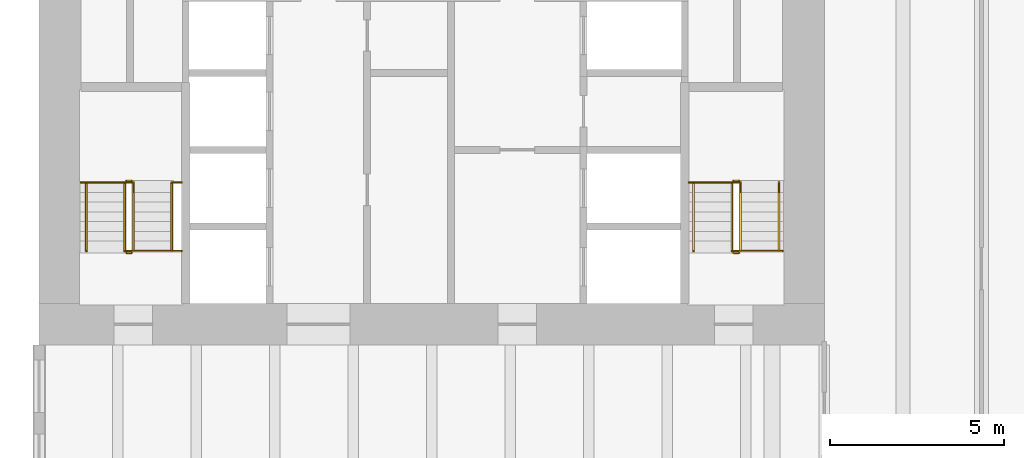
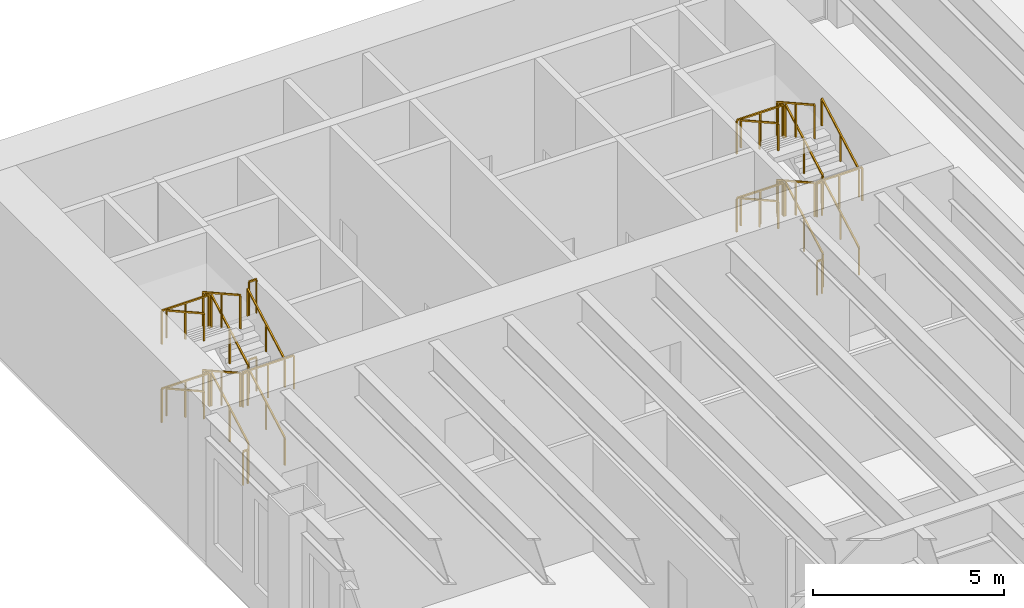
# One storey, part 19 of 19: 32 railings.
"""IFC4 building model written with IfcOpenShell, lengths in metres."""

from ifc_helpers import new_model, si_unit, direction, frame, origin, origin_2d, place, context, subcontext, project, spatial, rectangle, extrude, material, type_object, element, save


model = new_model("IFC4")

# Units and contexts
model_context = context("Model", 3, precision=1e-05, world=origin(), true_north=direction((0.0, 1.0)))
body_context = subcontext(model_context, "Body", "Model", "MODEL_VIEW")
ifc_project = project(units=[si_unit("LENGTHUNIT", "METRE"), si_unit("AREAUNIT", "SQUARE_METRE"), si_unit("VOLUMEUNIT", "CUBIC_METRE"), si_unit("PLANEANGLEUNIT", "RADIAN"), si_unit("MASSUNIT", "GRAM", prefix="KILO")], contexts=[model_context])

# Site, building, storey
site_placement = place(None, origin())
site = spatial("IfcSite", under=ifc_project, at=site_placement, CompositionType="ELEMENT")
building_placement = place(site_placement, origin())
building = spatial("IfcBuilding", under=site, at=building_placement, Name="Sennacour Bend Tower", CompositionType="ELEMENT")
storey_placement = place(building_placement, frame((0.0, 0.0, 19.0)))
storey = spatial("IfcBuildingStorey", under=building, at=storey_placement, Name="L03", CompositionType="ELEMENT", Elevation=19.0)

# Railings
ifc_material = material(Name="Stainless steel", Category="steel")
railing_type_1 = type_object("IfcRailingType", Name="RL-GUARD-1100", PredefinedType="GUARDRAIL", material=ifc_material)
railing_1_placement = place(storey_placement, frame((2.699951171875, 38.699951171875, 0.15625)))
element("IfcRailing", 1, at=railing_1_placement, inside=storey, type_object=railing_type_1, Name="L03 SB1 stair guard 1", PredefinedType="GUARDRAIL", context=body_context, shape_type="SweptSolid", body=[
    extrude(rectangle(XDim=0.048095703125, YDim=0.048095703125, at=origin_2d()), frame((0.0, 0.0, 1.076171875), z_axis=(0.0, 0.873232148454, 0.487304437602), x_axis=(-1.0, 0.0, 0.0)), (0.0, 0.0, 1.0), 2.244384765625),
    extrude(rectangle(XDim=0.0419921875, YDim=0.0419921875, at=origin_2d()), origin(), (0.0, 0.0, 1.0), 1.052001953125),
    extrude(rectangle(XDim=0.0419921875, YDim=0.0419921875, at=origin_2d()), frame((0.0, 0.97998046875, 0.546875)), (0.0, 0.0, 1.0), 1.052001953125),
    extrude(rectangle(XDim=0.0419921875, YDim=0.0419921875, at=origin_2d()), frame((0.0, 1.9599609375, 1.09375)), (0.0, 0.0, 1.0), 1.052001953125),
])
railing_2_placement = place(storey_placement, frame((2.64990234375, 40.7099609375, 1.25)))
element("IfcRailing", 2, at=railing_2_placement, inside=storey, type_object=railing_type_1, Name="L03 SB1 stair guard 2", PredefinedType="GUARDRAIL", context=body_context, shape_type="SweptSolid", body=[
    extrude(rectangle(XDim=0.048095703125, YDim=0.048095703125, at=origin_2d()), frame((0.0, 0.0, 1.076171875), z_axis=(-1.0, 0.0, 0.0), x_axis=(0.0, -1.0, 0.0)), (0.0, 0.0, 1.0), 0.14990234375),
    extrude(rectangle(XDim=0.0419921875, YDim=0.0419921875, at=origin_2d()), origin(), (0.0, 0.0, 1.0), 1.052001953125),
    extrude(rectangle(XDim=0.0419921875, YDim=0.0419921875, at=origin_2d()), frame((-0.14990234375, 0.0, 0.0)), (0.0, 0.0, 1.0), 1.052001953125),
])
railing_3_placement = place(storey_placement, frame((2.449951171875, 40.659912109375, 1.40625)))
element("IfcRailing", 3, at=railing_3_placement, inside=storey, type_object=railing_type_1, Name="L03 SB1 stair guard 4", PredefinedType="GUARDRAIL", context=body_context, shape_type="SweptSolid", body=[
    extrude(rectangle(XDim=0.048095703125, YDim=0.048095703125, at=origin_2d()), frame((0.0, 0.0, 1.076171875), z_axis=(0.0, -0.873232148454, 0.487304437602), x_axis=(1.0, 0.0, 0.0)), (0.0, 0.0, 1.0), 2.244384765625),
    extrude(rectangle(XDim=0.0419921875, YDim=0.0419921875, at=origin_2d()), origin(), (0.0, 0.0, 1.0), 1.052001953125),
    extrude(rectangle(XDim=0.0419921875, YDim=0.0419921875, at=origin_2d()), frame((0.0, -0.97998046875, 0.546875)), (0.0, 0.0, 1.0), 1.052001953125),
    extrude(rectangle(XDim=0.0419921875, YDim=0.0419921875, at=origin_2d()), frame((0.0, -1.9599609375, 1.09375)), (0.0, 0.0, 1.0), 1.052001953125),
])
railing_4_placement = place(storey_placement, frame((2.64990234375, 38.64990234375, 2.5)))
element("IfcRailing", 4, at=railing_4_placement, inside=storey, type_object=railing_type_1, Name="L03 SB1 stair guard 5", PredefinedType="GUARDRAIL", context=body_context, shape_type="SweptSolid", body=[
    extrude(rectangle(XDim=0.048095703125, YDim=0.048095703125, at=origin_2d()), frame((0.0, 0.0, 1.076171875), z_axis=(-1.0, 0.0, 0.0), x_axis=(0.0, -1.0, 0.0)), (0.0, 0.0, 1.0), 0.14990234375),
    extrude(rectangle(XDim=0.0419921875, YDim=0.0419921875, at=origin_2d()), origin(), (0.0, 0.0, 1.0), 1.052001953125),
    extrude(rectangle(XDim=0.0419921875, YDim=0.0419921875, at=origin_2d()), frame((-0.14990234375, 0.0, 0.0)), (0.0, 0.0, 1.0), 1.052001953125),
])
railing_5_placement = place(storey_placement, frame((2.699951171875, 38.699951171875, 2.65625)))
element("IfcRailing", 5, at=railing_5_placement, inside=storey, type_object=railing_type_1, Name="L03 SB1 stair guard 8", PredefinedType="GUARDRAIL", context=body_context, shape_type="SweptSolid", body=[
    extrude(rectangle(XDim=0.048095703125, YDim=0.048095703125, at=origin_2d()), frame((0.0, 0.0, 1.076171875), z_axis=(0.0, 0.873232148454, 0.487304437602), x_axis=(-1.0, 0.0, 0.0)), (0.0, 0.0, 1.0), 2.244384765625),
    extrude(rectangle(XDim=0.0419921875, YDim=0.0419921875, at=origin_2d()), origin(), (0.0, 0.0, 1.0), 1.052001953125),
    extrude(rectangle(XDim=0.0419921875, YDim=0.0419921875, at=origin_2d()), frame((0.0, 0.97998046875, 0.546875)), (0.0, 0.0, 1.0), 1.052001953125),
    extrude(rectangle(XDim=0.0419921875, YDim=0.0419921875, at=origin_2d()), frame((0.0, 1.9599609375, 1.09375)), (0.0, 0.0, 1.0), 1.052001953125),
])
railing_6_placement = place(storey_placement, frame((2.64990234375, 40.7099609375, 3.75)))
element("IfcRailing", 6, at=railing_6_placement, inside=storey, type_object=railing_type_1, Name="L03 SB1 stair guard 9", PredefinedType="GUARDRAIL", context=body_context, shape_type="SweptSolid", body=[
    extrude(rectangle(XDim=0.048095703125, YDim=0.048095703125, at=origin_2d()), frame((0.0, 0.0, 1.076171875), z_axis=(-1.0, 0.0, 0.0), x_axis=(0.0, -1.0, 0.0)), (0.0, 0.0, 1.0), 0.14990234375),
    extrude(rectangle(XDim=0.0419921875, YDim=0.0419921875, at=origin_2d()), origin(), (0.0, 0.0, 1.0), 1.052001953125),
    extrude(rectangle(XDim=0.0419921875, YDim=0.0419921875, at=origin_2d()), frame((-0.14990234375, 0.0, 0.0)), (0.0, 0.0, 1.0), 1.052001953125),
])
railing_7_placement = place(storey_placement, frame((2.449951171875, 40.659912109375, 3.90625)))
element("IfcRailing", 7, at=railing_7_placement, inside=storey, type_object=railing_type_1, Name="L03 SB1 stair guard 11", PredefinedType="GUARDRAIL", context=body_context, shape_type="SweptSolid", body=[
    extrude(rectangle(XDim=0.048095703125, YDim=0.048095703125, at=origin_2d()), frame((0.0, 0.0, 1.076171875), z_axis=(0.0, -0.873232148454, 0.487304437602), x_axis=(1.0, 0.0, 0.0)), (0.0, 0.0, 1.0), 2.244384765625),
    extrude(rectangle(XDim=0.0419921875, YDim=0.0419921875, at=origin_2d()), origin(), (0.0, 0.0, 1.0), 1.052001953125),
    extrude(rectangle(XDim=0.0419921875, YDim=0.0419921875, at=origin_2d()), frame((0.0, -0.97998046875, 0.546875)), (0.0, 0.0, 1.0), 1.052001953125),
    extrude(rectangle(XDim=0.0419921875, YDim=0.0419921875, at=origin_2d()), frame((0.0, -1.9599609375, 1.09375)), (0.0, 0.0, 1.0), 1.052001953125),
])
railing_8_placement = place(storey_placement, frame((2.64990234375, 38.64990234375, 0.0)))
element("IfcRailing", 8, at=railing_8_placement, inside=storey, type_object=railing_type_1, Name="L03 SB1 stair guard 12", PredefinedType="GUARDRAIL", context=body_context, shape_type="SweptSolid", body=[
    extrude(rectangle(XDim=0.048095703125, YDim=0.048095703125, at=origin_2d()), frame((0.0, 0.0, 1.076171875), z_axis=(-1.0, 0.0, 0.0), x_axis=(0.0, -1.0, 0.0)), (0.0, 0.0, 1.0), 0.14990234375),
    extrude(rectangle(XDim=0.0419921875, YDim=0.0419921875, at=origin_2d()), origin(), (0.0, 0.0, 1.0), 1.052001953125),
    extrude(rectangle(XDim=0.0419921875, YDim=0.0419921875, at=origin_2d()), frame((-0.14990234375, 0.0, 0.0)), (0.0, 0.0, 1.0), 1.052001953125),
])
railing_9_placement = place(storey_placement, frame((4.074951171875, 40.659912109375, 1.25)))
element("IfcRailing", 9, at=railing_9_placement, inside=storey, type_object=railing_type_1, Name="L03 SB1 landing edge guard 14", PredefinedType="GUARDRAIL", context=body_context, shape_type="SweptSolid", body=[
    extrude(rectangle(XDim=0.048095703125, YDim=0.048095703125, at=origin_2d()), frame((0.0, 0.0, 1.076171875), z_axis=(-1.0, 0.0, 0.0), x_axis=(0.0, -1.0, 0.0)), (0.0, 0.0, 1.0), 0.224853515625),
    extrude(rectangle(XDim=0.0419921875, YDim=0.0419921875, at=origin_2d()), origin(), (0.0, 0.0, 1.0), 1.052001953125),
    extrude(rectangle(XDim=0.0419921875, YDim=0.0419921875, at=origin_2d()), frame((-0.224853515625, 0.0, 0.0)), (0.0, 0.0, 1.0), 1.052001953125),
])
railing_10_placement = place(storey_placement, frame((2.64990234375, 40.659912109375, 1.25)))
element("IfcRailing", 10, at=railing_10_placement, inside=storey, type_object=railing_type_1, Name="L03 SB1 landing edge guard 15", PredefinedType="GUARDRAIL", context=body_context, shape_type="SweptSolid", body=[
    extrude(rectangle(XDim=0.048095703125, YDim=0.048095703125, at=origin_2d()), frame((0.0, 0.0, 1.076171875), z_axis=(-1.0, 0.0, 0.0), x_axis=(0.0, -1.0, 0.0)), (0.0, 0.0, 1.0), 1.449951171875),
    extrude(rectangle(XDim=0.0419921875, YDim=0.0419921875, at=origin_2d()), origin(), (0.0, 0.0, 1.0), 1.052001953125),
    extrude(rectangle(XDim=0.0419921875, YDim=0.0419921875, at=origin_2d()), frame((-0.72509765625, 0.0, 0.0)), (0.0, 0.0, 1.0), 1.052001953125),
    extrude(rectangle(XDim=0.0419921875, YDim=0.0419921875, at=origin_2d()), frame((-1.449951171875, 0.0, 0.0)), (0.0, 0.0, 1.0), 1.052001953125),
])
railing_11_placement = place(storey_placement, frame((2.5, 38.699951171875, 2.5)))
element("IfcRailing", 11, at=railing_11_placement, inside=storey, type_object=railing_type_1, Name="L03 SB1 landing edge guard 16", PredefinedType="GUARDRAIL", context=body_context, shape_type="SweptSolid", body=[
    extrude(rectangle(XDim=0.048095703125, YDim=0.048095703125, at=origin_2d()), frame((0.0, 0.0, 1.076171875), z_axis=(1.0, 0.0, 0.0), x_axis=(0.0, 1.0, 0.0)), (0.0, 0.0, 1.0), 1.574951171875),
    extrude(rectangle(XDim=0.0419921875, YDim=0.0419921875, at=origin_2d()), origin(), (0.0, 0.0, 1.0), 1.052001953125),
    extrude(rectangle(XDim=0.0419921875, YDim=0.0419921875, at=origin_2d()), frame((0.78759765625, 0.0, 0.0)), (0.0, 0.0, 1.0), 1.052001953125),
    extrude(rectangle(XDim=0.0419921875, YDim=0.0419921875, at=origin_2d()), frame((1.574951171875, 0.0, 0.0)), (0.0, 0.0, 1.0), 1.052001953125),
])
railing_12_placement = place(storey_placement, frame((4.074951171875, 40.659912109375, 3.75)))
element("IfcRailing", 12, at=railing_12_placement, inside=storey, type_object=railing_type_1, Name="L03 SB1 landing edge guard 17", PredefinedType="GUARDRAIL", context=body_context, shape_type="SweptSolid", body=[
    extrude(rectangle(XDim=0.048095703125, YDim=0.048095703125, at=origin_2d()), frame((0.0, 0.0, 1.076171875), z_axis=(-1.0, 0.0, 0.0), x_axis=(0.0, -1.0, 0.0)), (0.0, 0.0, 1.0), 0.224853515625),
    extrude(rectangle(XDim=0.0419921875, YDim=0.0419921875, at=origin_2d()), origin(), (0.0, 0.0, 1.0), 1.052001953125),
    extrude(rectangle(XDim=0.0419921875, YDim=0.0419921875, at=origin_2d()), frame((-0.224853515625, 0.0, 0.0)), (0.0, 0.0, 1.0), 1.052001953125),
])
railing_13_placement = place(storey_placement, frame((2.64990234375, 40.659912109375, 3.75)))
element("IfcRailing", 13, at=railing_13_placement, inside=storey, type_object=railing_type_1, Name="L03 SB1 landing edge guard 18", PredefinedType="GUARDRAIL", context=body_context, shape_type="SweptSolid", body=[
    extrude(rectangle(XDim=0.048095703125, YDim=0.048095703125, at=origin_2d()), frame((0.0, 0.0, 1.076171875), z_axis=(-1.0, 0.0, 0.0), x_axis=(0.0, -1.0, 0.0)), (0.0, 0.0, 1.0), 1.449951171875),
    extrude(rectangle(XDim=0.0419921875, YDim=0.0419921875, at=origin_2d()), origin(), (0.0, 0.0, 1.0), 1.052001953125),
    extrude(rectangle(XDim=0.0419921875, YDim=0.0419921875, at=origin_2d()), frame((-0.72509765625, 0.0, 0.0)), (0.0, 0.0, 1.0), 1.052001953125),
    extrude(rectangle(XDim=0.0419921875, YDim=0.0419921875, at=origin_2d()), frame((-1.449951171875, 0.0, 0.0)), (0.0, 0.0, 1.0), 1.052001953125),
])
railing_14_placement = place(storey_placement, frame((20.10009765625, 38.699951171875, 0.15625)))
element("IfcRailing", 14, at=railing_14_placement, inside=storey, type_object=railing_type_1, Name="L03 SB2 stair guard 1", PredefinedType="GUARDRAIL", context=body_context, shape_type="SweptSolid", body=[
    extrude(rectangle(XDim=0.048095703125, YDim=0.048095703125, at=origin_2d()), frame((0.0, 0.0, 1.076171875), z_axis=(0.0, 0.873232148454, 0.487304437602), x_axis=(-1.0, 0.0, 0.0)), (0.0, 0.0, 1.0), 2.244384765625),
    extrude(rectangle(XDim=0.0419921875, YDim=0.0419921875, at=origin_2d()), origin(), (0.0, 0.0, 1.0), 1.052001953125),
    extrude(rectangle(XDim=0.0419921875, YDim=0.0419921875, at=origin_2d()), frame((0.0, 0.97998046875, 0.546875)), (0.0, 0.0, 1.0), 1.052001953125),
    extrude(rectangle(XDim=0.0419921875, YDim=0.0419921875, at=origin_2d()), frame((0.0, 1.9599609375, 1.09375)), (0.0, 0.0, 1.0), 1.052001953125),
])
railing_15_placement = place(storey_placement, frame((20.050048828125, 40.7099609375, 1.25)))
element("IfcRailing", 15, at=railing_15_placement, inside=storey, type_object=railing_type_1, Name="L03 SB2 stair guard 2", PredefinedType="GUARDRAIL", context=body_context, shape_type="SweptSolid", body=[
    extrude(rectangle(XDim=0.048095703125, YDim=0.048095703125, at=origin_2d()), frame((0.0, 0.0, 1.076171875), z_axis=(-1.0, 0.0, 0.0), x_axis=(0.0, -1.0, 0.0)), (0.0, 0.0, 1.0), 0.150146484375),
    extrude(rectangle(XDim=0.0419921875, YDim=0.0419921875, at=origin_2d()), origin(), (0.0, 0.0, 1.0), 1.052001953125),
    extrude(rectangle(XDim=0.0419921875, YDim=0.0419921875, at=origin_2d()), frame((-0.150146484375, 0.0, 0.0)), (0.0, 0.0, 1.0), 1.052001953125),
])
railing_16_placement = place(storey_placement, frame((19.85009765625, 40.659912109375, 1.40625)))
element("IfcRailing", 16, at=railing_16_placement, inside=storey, type_object=railing_type_1, Name="L03 SB2 stair guard 4", PredefinedType="GUARDRAIL", context=body_context, shape_type="SweptSolid", body=[
    extrude(rectangle(XDim=0.048095703125, YDim=0.048095703125, at=origin_2d()), frame((0.0, 0.0, 1.076171875), z_axis=(0.0, -0.873232148454, 0.487304437602), x_axis=(1.0, 0.0, 0.0)), (0.0, 0.0, 1.0), 2.244384765625),
    extrude(rectangle(XDim=0.0419921875, YDim=0.0419921875, at=origin_2d()), origin(), (0.0, 0.0, 1.0), 1.052001953125),
    extrude(rectangle(XDim=0.0419921875, YDim=0.0419921875, at=origin_2d()), frame((0.0, -0.97998046875, 0.546875)), (0.0, 0.0, 1.0), 1.052001953125),
    extrude(rectangle(XDim=0.0419921875, YDim=0.0419921875, at=origin_2d()), frame((0.0, -1.9599609375, 1.09375)), (0.0, 0.0, 1.0), 1.052001953125),
])
railing_17_placement = place(storey_placement, frame((20.050048828125, 38.64990234375, 2.5)))
element("IfcRailing", 17, at=railing_17_placement, inside=storey, type_object=railing_type_1, Name="L03 SB2 stair guard 5", PredefinedType="GUARDRAIL", context=body_context, shape_type="SweptSolid", body=[
    extrude(rectangle(XDim=0.048095703125, YDim=0.048095703125, at=origin_2d()), frame((0.0, 0.0, 1.076171875), z_axis=(-1.0, 0.0, 0.0), x_axis=(0.0, -1.0, 0.0)), (0.0, 0.0, 1.0), 0.150146484375),
    extrude(rectangle(XDim=0.0419921875, YDim=0.0419921875, at=origin_2d()), origin(), (0.0, 0.0, 1.0), 1.052001953125),
    extrude(rectangle(XDim=0.0419921875, YDim=0.0419921875, at=origin_2d()), frame((-0.150146484375, 0.0, 0.0)), (0.0, 0.0, 1.0), 1.052001953125),
])
railing_18_placement = place(storey_placement, frame((20.10009765625, 38.699951171875, 2.65625)))
element("IfcRailing", 18, at=railing_18_placement, inside=storey, type_object=railing_type_1, Name="L03 SB2 stair guard 8", PredefinedType="GUARDRAIL", context=body_context, shape_type="SweptSolid", body=[
    extrude(rectangle(XDim=0.048095703125, YDim=0.048095703125, at=origin_2d()), frame((0.0, 0.0, 1.076171875), z_axis=(0.0, 0.873232148454, 0.487304437602), x_axis=(-1.0, 0.0, 0.0)), (0.0, 0.0, 1.0), 2.244384765625),
    extrude(rectangle(XDim=0.0419921875, YDim=0.0419921875, at=origin_2d()), origin(), (0.0, 0.0, 1.0), 1.052001953125),
    extrude(rectangle(XDim=0.0419921875, YDim=0.0419921875, at=origin_2d()), frame((0.0, 0.97998046875, 0.546875)), (0.0, 0.0, 1.0), 1.052001953125),
    extrude(rectangle(XDim=0.0419921875, YDim=0.0419921875, at=origin_2d()), frame((0.0, 1.9599609375, 1.09375)), (0.0, 0.0, 1.0), 1.052001953125),
])
railing_19_placement = place(storey_placement, frame((20.050048828125, 40.7099609375, 3.75)))
element("IfcRailing", 19, at=railing_19_placement, inside=storey, type_object=railing_type_1, Name="L03 SB2 stair guard 9", PredefinedType="GUARDRAIL", context=body_context, shape_type="SweptSolid", body=[
    extrude(rectangle(XDim=0.048095703125, YDim=0.048095703125, at=origin_2d()), frame((0.0, 0.0, 1.076171875), z_axis=(-1.0, 0.0, 0.0), x_axis=(0.0, -1.0, 0.0)), (0.0, 0.0, 1.0), 0.150146484375),
    extrude(rectangle(XDim=0.0419921875, YDim=0.0419921875, at=origin_2d()), origin(), (0.0, 0.0, 1.0), 1.052001953125),
    extrude(rectangle(XDim=0.0419921875, YDim=0.0419921875, at=origin_2d()), frame((-0.150146484375, 0.0, 0.0)), (0.0, 0.0, 1.0), 1.052001953125),
])
railing_20_placement = place(storey_placement, frame((19.85009765625, 40.659912109375, 3.90625)))
element("IfcRailing", 20, at=railing_20_placement, inside=storey, type_object=railing_type_1, Name="L03 SB2 stair guard 11", PredefinedType="GUARDRAIL", context=body_context, shape_type="SweptSolid", body=[
    extrude(rectangle(XDim=0.048095703125, YDim=0.048095703125, at=origin_2d()), frame((0.0, 0.0, 1.076171875), z_axis=(0.0, -0.873232148454, 0.487304437602), x_axis=(1.0, 0.0, 0.0)), (0.0, 0.0, 1.0), 2.244384765625),
    extrude(rectangle(XDim=0.0419921875, YDim=0.0419921875, at=origin_2d()), origin(), (0.0, 0.0, 1.0), 1.052001953125),
    extrude(rectangle(XDim=0.0419921875, YDim=0.0419921875, at=origin_2d()), frame((0.0, -0.97998046875, 0.546875)), (0.0, 0.0, 1.0), 1.052001953125),
    extrude(rectangle(XDim=0.0419921875, YDim=0.0419921875, at=origin_2d()), frame((0.0, -1.9599609375, 1.09375)), (0.0, 0.0, 1.0), 1.052001953125),
])
railing_21_placement = place(storey_placement, frame((20.050048828125, 38.64990234375, 0.0)))
element("IfcRailing", 21, at=railing_21_placement, inside=storey, type_object=railing_type_1, Name="L03 SB2 stair guard 12", PredefinedType="GUARDRAIL", context=body_context, shape_type="SweptSolid", body=[
    extrude(rectangle(XDim=0.048095703125, YDim=0.048095703125, at=origin_2d()), frame((0.0, 0.0, 1.076171875), z_axis=(-1.0, 0.0, 0.0), x_axis=(0.0, -1.0, 0.0)), (0.0, 0.0, 1.0), 0.150146484375),
    extrude(rectangle(XDim=0.0419921875, YDim=0.0419921875, at=origin_2d()), origin(), (0.0, 0.0, 1.0), 1.052001953125),
    extrude(rectangle(XDim=0.0419921875, YDim=0.0419921875, at=origin_2d()), frame((-0.150146484375, 0.0, 0.0)), (0.0, 0.0, 1.0), 1.052001953125),
])
railing_22_placement = place(storey_placement, frame((20.050048828125, 40.659912109375, 1.25)))
element("IfcRailing", 22, at=railing_22_placement, inside=storey, type_object=railing_type_1, Name="L03 SB2 landing edge guard 10", PredefinedType="GUARDRAIL", context=body_context, shape_type="SweptSolid", body=[
    extrude(rectangle(XDim=0.048095703125, YDim=0.048095703125, at=origin_2d()), frame((0.0, 0.0, 1.076171875), z_axis=(-1.0, 0.0, 0.0), x_axis=(0.0, -1.0, 0.0)), (0.0, 0.0, 1.0), 1.425048828125),
    extrude(rectangle(XDim=0.0419921875, YDim=0.0419921875, at=origin_2d()), origin(), (0.0, 0.0, 1.0), 1.052001953125),
    extrude(rectangle(XDim=0.0419921875, YDim=0.0419921875, at=origin_2d()), frame((-0.71240234375, 0.0, 0.0)), (0.0, 0.0, 1.0), 1.052001953125),
    extrude(rectangle(XDim=0.0419921875, YDim=0.0419921875, at=origin_2d()), frame((-1.425048828125, 0.0, 0.0)), (0.0, 0.0, 1.0), 1.052001953125),
])
railing_23_placement = place(storey_placement, frame((19.89990234375, 38.699951171875, 2.5)))
element("IfcRailing", 23, at=railing_23_placement, inside=storey, type_object=railing_type_1, Name="L03 SB2 landing edge guard 11", PredefinedType="GUARDRAIL", context=body_context, shape_type="SweptSolid", body=[
    extrude(rectangle(XDim=0.048095703125, YDim=0.048095703125, at=origin_2d()), frame((0.0, 0.0, 1.076171875), z_axis=(1.0, 0.0, 0.0), x_axis=(0.0, 1.0, 0.0)), (0.0, 0.0, 1.0), 1.400146484375),
    extrude(rectangle(XDim=0.0419921875, YDim=0.0419921875, at=origin_2d()), origin(), (0.0, 0.0, 1.0), 1.052001953125),
    extrude(rectangle(XDim=0.0419921875, YDim=0.0419921875, at=origin_2d()), frame((0.7001953125, 0.0, 0.0)), (0.0, 0.0, 1.0), 1.052001953125),
    extrude(rectangle(XDim=0.0419921875, YDim=0.0419921875, at=origin_2d()), frame((1.400146484375, 0.0, 0.0)), (0.0, 0.0, 1.0), 1.052001953125),
])
railing_24_placement = place(storey_placement, frame((20.050048828125, 40.659912109375, 3.75)))
element("IfcRailing", 24, at=railing_24_placement, inside=storey, type_object=railing_type_1, Name="L03 SB2 landing edge guard 12", PredefinedType="GUARDRAIL", context=body_context, shape_type="SweptSolid", body=[
    extrude(rectangle(XDim=0.048095703125, YDim=0.048095703125, at=origin_2d()), frame((0.0, 0.0, 1.076171875), z_axis=(-1.0, 0.0, 0.0), x_axis=(0.0, -1.0, 0.0)), (0.0, 0.0, 1.0), 1.425048828125),
    extrude(rectangle(XDim=0.0419921875, YDim=0.0419921875, at=origin_2d()), origin(), (0.0, 0.0, 1.0), 1.052001953125),
    extrude(rectangle(XDim=0.0419921875, YDim=0.0419921875, at=origin_2d()), frame((-0.71240234375, 0.0, 0.0)), (0.0, 0.0, 1.0), 1.052001953125),
    extrude(rectangle(XDim=0.0419921875, YDim=0.0419921875, at=origin_2d()), frame((-1.425048828125, 0.0, 0.0)), (0.0, 0.0, 1.0), 1.052001953125),
])
railing_type_2 = type_object("IfcRailingType", Name="RL-HANDRAIL-900", PredefinedType="HANDRAIL", material=ifc_material)
railing_25_placement = place(storey_placement, frame((3.800048828125, 38.699951171875, 0.15625)))
element("IfcRailing", 25, at=railing_25_placement, inside=storey, type_object=railing_type_2, Name="L03 SB1 stair handrail 1", PredefinedType="HANDRAIL", context=body_context, shape_type="SweptSolid", body=[
    extrude(rectangle(XDim=0.048095703125, YDim=0.048095703125, at=origin_2d()), frame((0.0, 0.0, 0.8759765625), z_axis=(0.0, 0.873232148454, 0.487304437602), x_axis=(-1.0, 0.0, 0.0)), (0.0, 0.0, 1.0), 2.244384765625),
    extrude(rectangle(XDim=0.0419921875, YDim=0.0419921875, at=origin_2d()), origin(), (0.0, 0.0, 1.0), 0.851806640625),
    extrude(rectangle(XDim=0.0419921875, YDim=0.0419921875, at=origin_2d()), frame((0.0, 0.97998046875, 0.546875)), (0.0, 0.0, 1.0), 0.851806640625),
    extrude(rectangle(XDim=0.0419921875, YDim=0.0419921875, at=origin_2d()), frame((0.0, 1.9599609375, 1.09375)), (0.0, 0.0, 1.0), 0.851806640625),
])
railing_26_placement = place(storey_placement, frame((1.35009765625, 40.659912109375, 1.40625)))
element("IfcRailing", 26, at=railing_26_placement, inside=storey, type_object=railing_type_2, Name="L03 SB1 stair handrail 2", PredefinedType="HANDRAIL", context=body_context, shape_type="SweptSolid", body=[
    extrude(rectangle(XDim=0.048095703125, YDim=0.048095703125, at=origin_2d()), frame((0.0, 0.0, 0.8759765625), z_axis=(0.0, -0.873232148454, 0.487304437602), x_axis=(1.0, 0.0, 0.0)), (0.0, 0.0, 1.0), 2.244384765625),
    extrude(rectangle(XDim=0.0419921875, YDim=0.0419921875, at=origin_2d()), origin(), (0.0, 0.0, 1.0), 0.851806640625),
    extrude(rectangle(XDim=0.0419921875, YDim=0.0419921875, at=origin_2d()), frame((0.0, -0.97998046875, 0.546875)), (0.0, 0.0, 1.0), 0.851806640625),
    extrude(rectangle(XDim=0.0419921875, YDim=0.0419921875, at=origin_2d()), frame((0.0, -1.9599609375, 1.09375)), (0.0, 0.0, 1.0), 0.851806640625),
])
railing_27_placement = place(storey_placement, frame((3.800048828125, 38.699951171875, 2.65625)))
element("IfcRailing", 27, at=railing_27_placement, inside=storey, type_object=railing_type_2, Name="L03 SB1 stair handrail 3", PredefinedType="HANDRAIL", context=body_context, shape_type="SweptSolid", body=[
    extrude(rectangle(XDim=0.048095703125, YDim=0.048095703125, at=origin_2d()), frame((0.0, 0.0, 0.8759765625), z_axis=(0.0, 0.873232148454, 0.487304437602), x_axis=(-1.0, 0.0, 0.0)), (0.0, 0.0, 1.0), 2.244384765625),
    extrude(rectangle(XDim=0.0419921875, YDim=0.0419921875, at=origin_2d()), origin(), (0.0, 0.0, 1.0), 0.851806640625),
    extrude(rectangle(XDim=0.0419921875, YDim=0.0419921875, at=origin_2d()), frame((0.0, 0.97998046875, 0.546875)), (0.0, 0.0, 1.0), 0.851806640625),
    extrude(rectangle(XDim=0.0419921875, YDim=0.0419921875, at=origin_2d()), frame((0.0, 1.9599609375, 1.09375)), (0.0, 0.0, 1.0), 0.851806640625),
])
railing_28_placement = place(storey_placement, frame((1.35009765625, 40.659912109375, 3.90625)))
element("IfcRailing", 28, at=railing_28_placement, inside=storey, type_object=railing_type_2, Name="L03 SB1 stair handrail 4", PredefinedType="HANDRAIL", context=body_context, shape_type="SweptSolid", body=[
    extrude(rectangle(XDim=0.048095703125, YDim=0.048095703125, at=origin_2d()), frame((0.0, 0.0, 0.8759765625), z_axis=(0.0, -0.873232148454, 0.487304437602), x_axis=(1.0, 0.0, 0.0)), (0.0, 0.0, 1.0), 2.244384765625),
    extrude(rectangle(XDim=0.0419921875, YDim=0.0419921875, at=origin_2d()), origin(), (0.0, 0.0, 1.0), 0.851806640625),
    extrude(rectangle(XDim=0.0419921875, YDim=0.0419921875, at=origin_2d()), frame((0.0, -0.97998046875, 0.546875)), (0.0, 0.0, 1.0), 0.851806640625),
    extrude(rectangle(XDim=0.0419921875, YDim=0.0419921875, at=origin_2d()), frame((0.0, -1.9599609375, 1.09375)), (0.0, 0.0, 1.0), 0.851806640625),
])
railing_29_placement = place(storey_placement, frame((21.199951171875, 38.699951171875, 0.15625)))
element("IfcRailing", 29, at=railing_29_placement, inside=storey, type_object=railing_type_2, Name="L03 SB2 stair handrail 1", PredefinedType="HANDRAIL", context=body_context, shape_type="SweptSolid", body=[
    extrude(rectangle(XDim=0.048095703125, YDim=0.048095703125, at=origin_2d()), frame((0.0, 0.0, 0.8759765625), z_axis=(0.0, 0.873232148454, 0.487304437602), x_axis=(-1.0, 0.0, 0.0)), (0.0, 0.0, 1.0), 2.244384765625),
    extrude(rectangle(XDim=0.0419921875, YDim=0.0419921875, at=origin_2d()), origin(), (0.0, 0.0, 1.0), 0.851806640625),
    extrude(rectangle(XDim=0.0419921875, YDim=0.0419921875, at=origin_2d()), frame((0.0, 0.97998046875, 0.546875)), (0.0, 0.0, 1.0), 0.851806640625),
    extrude(rectangle(XDim=0.0419921875, YDim=0.0419921875, at=origin_2d()), frame((0.0, 1.9599609375, 1.09375)), (0.0, 0.0, 1.0), 0.851806640625),
])
railing_30_placement = place(storey_placement, frame((18.75, 40.659912109375, 1.40625)))
element("IfcRailing", 30, at=railing_30_placement, inside=storey, type_object=railing_type_2, Name="L03 SB2 stair handrail 2", PredefinedType="HANDRAIL", context=body_context, shape_type="SweptSolid", body=[
    extrude(rectangle(XDim=0.048095703125, YDim=0.048095703125, at=origin_2d()), frame((0.0, 0.0, 0.8759765625), z_axis=(0.0, -0.873232148454, 0.487304437602), x_axis=(1.0, 0.0, 0.0)), (0.0, 0.0, 1.0), 2.244384765625),
    extrude(rectangle(XDim=0.0419921875, YDim=0.0419921875, at=origin_2d()), origin(), (0.0, 0.0, 1.0), 0.851806640625),
    extrude(rectangle(XDim=0.0419921875, YDim=0.0419921875, at=origin_2d()), frame((0.0, -0.97998046875, 0.546875)), (0.0, 0.0, 1.0), 0.851806640625),
    extrude(rectangle(XDim=0.0419921875, YDim=0.0419921875, at=origin_2d()), frame((0.0, -1.9599609375, 1.09375)), (0.0, 0.0, 1.0), 0.851806640625),
])
railing_31_placement = place(storey_placement, frame((21.199951171875, 38.699951171875, 2.65625)))
element("IfcRailing", 31, at=railing_31_placement, inside=storey, type_object=railing_type_2, Name="L03 SB2 stair handrail 3", PredefinedType="HANDRAIL", context=body_context, shape_type="SweptSolid", body=[
    extrude(rectangle(XDim=0.048095703125, YDim=0.048095703125, at=origin_2d()), frame((0.0, 0.0, 0.8759765625), z_axis=(0.0, 0.873232148454, 0.487304437602), x_axis=(-1.0, 0.0, 0.0)), (0.0, 0.0, 1.0), 2.244384765625),
    extrude(rectangle(XDim=0.0419921875, YDim=0.0419921875, at=origin_2d()), origin(), (0.0, 0.0, 1.0), 0.851806640625),
    extrude(rectangle(XDim=0.0419921875, YDim=0.0419921875, at=origin_2d()), frame((0.0, 0.97998046875, 0.546875)), (0.0, 0.0, 1.0), 0.851806640625),
    extrude(rectangle(XDim=0.0419921875, YDim=0.0419921875, at=origin_2d()), frame((0.0, 1.9599609375, 1.09375)), (0.0, 0.0, 1.0), 0.851806640625),
])
railing_32_placement = place(storey_placement, frame((18.75, 40.659912109375, 3.90625)))
element("IfcRailing", 32, at=railing_32_placement, inside=storey, type_object=railing_type_2, Name="L03 SB2 stair handrail 4", PredefinedType="HANDRAIL", context=body_context, shape_type="SweptSolid", body=[
    extrude(rectangle(XDim=0.048095703125, YDim=0.048095703125, at=origin_2d()), frame((0.0, 0.0, 0.8759765625), z_axis=(0.0, -0.873232148454, 0.487304437602), x_axis=(1.0, 0.0, 0.0)), (0.0, 0.0, 1.0), 2.244384765625),
    extrude(rectangle(XDim=0.0419921875, YDim=0.0419921875, at=origin_2d()), origin(), (0.0, 0.0, 1.0), 0.851806640625),
    extrude(rectangle(XDim=0.0419921875, YDim=0.0419921875, at=origin_2d()), frame((0.0, -0.97998046875, 0.546875)), (0.0, 0.0, 1.0), 0.851806640625),
    extrude(rectangle(XDim=0.0419921875, YDim=0.0419921875, at=origin_2d()), frame((0.0, -1.9599609375, 1.09375)), (0.0, 0.0, 1.0), 0.851806640625),
])

save(model, "model.ifc")
